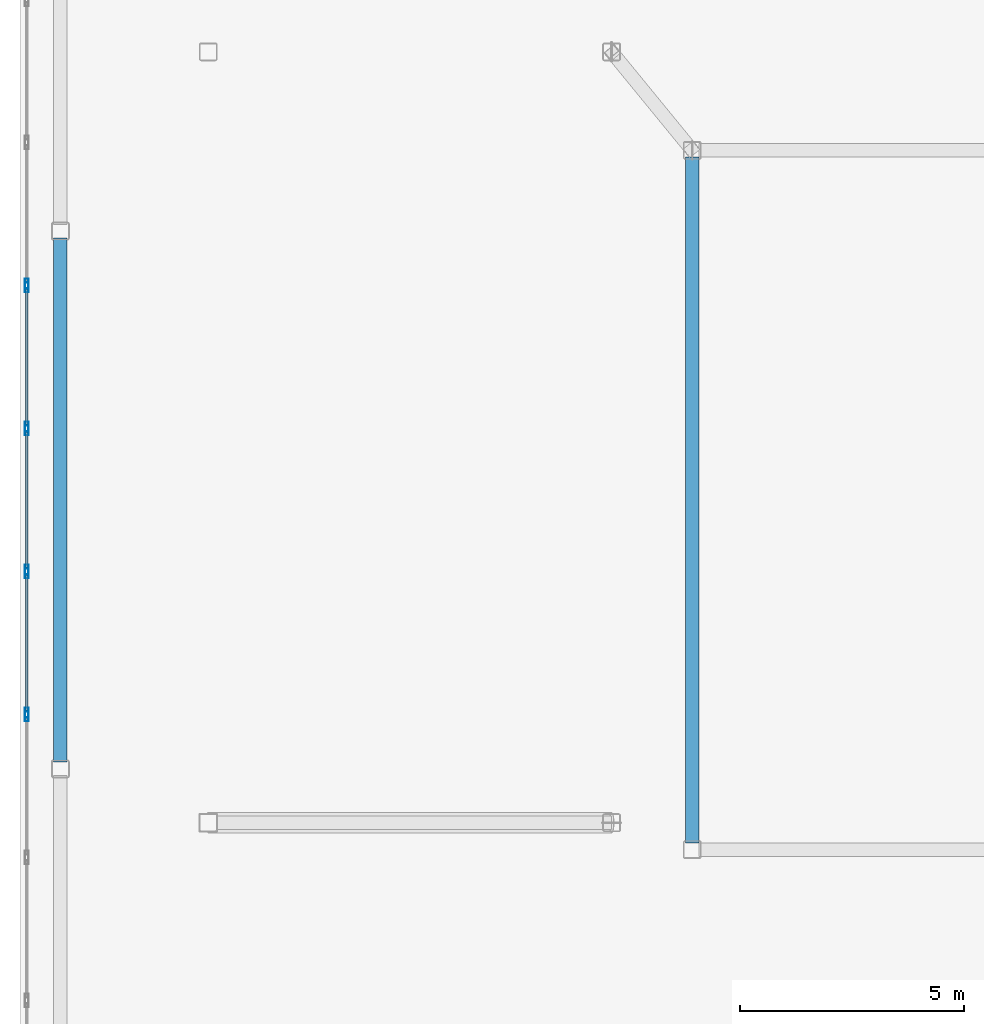
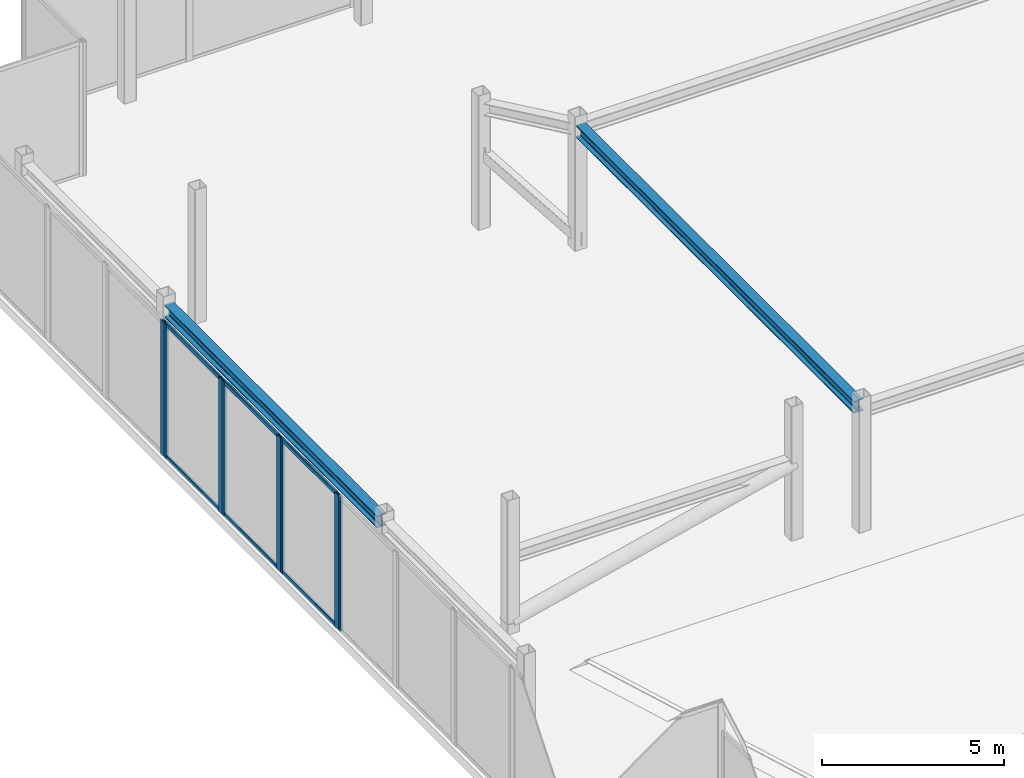
# One storey, part 5 of 16: 14 members, 2 beams, 5 elements without a shape of their own.
"""IFC4 building model written with IfcOpenShell, lengths in metres."""

import ifcopenshell
import ifcopenshell.guid

model = None  # the IFC model being written
_history = None  # IfcOwnerHistory: only IFC2X3 demands one
_inside = {}  # id of a spatial element -> (the spatial element, [elements in it])
_under = {}  # id of a project, library or spatial element -> (it, [spatial elements below it])
_declared = {}  # id of a project -> (the project, [libraries it declares])
_typed = {}  # id of a type object -> (the type object, [elements of that type])
_made_of = {}  # id of a material, layer set ... -> (it, [elements and type objects made of it])


def new_model(schema):
    """Start an empty IFC model of exactly this schema.

    Asked for "IFC4X3", IfcOpenShell would pick the latest addendum, in which some entities
    have other attributes; the version numbers below select the first issue.
    IFC2X3 requires an IfcOwnerHistory on every rooted entity: one is made here for all.
    """
    global model, _history
    if schema == "IFC4X3":
        model = ifcopenshell.file(schema_version=(4, 3, 0, 0))
    else:
        model = ifcopenshell.file(schema=schema)
    _inside.clear()
    _under.clear()
    _declared.clear()
    _typed.clear()
    _made_of.clear()
    _history = None
    if model.schema == "IFC2X3":
        org = make("IfcOrganization", Name="unknown")
        user = make(
            "IfcPersonAndOrganization",
            ThePerson=make("IfcPerson", FamilyName="unknown"),
            TheOrganization=org,
        )
        app = make(
            "IfcApplication",
            ApplicationDeveloper=org,
            Version="unknown",
            ApplicationFullName="unknown",
            ApplicationIdentifier="unknown",
        )
        _history = make(
            "IfcOwnerHistory",
            OwningUser=user,
            OwningApplication=app,
            ChangeAction="ADDED",
            CreationDate=0,
        )
    return model


def make(cls, **values):
    """One entity of the class cls with the attributes given. An attribute that is None is left unset."""
    return model.create_entity(
        cls, **{name: value for name, value in values.items() if value is not None}
    )


def rooted(cls, **values):
    """An entity with a GlobalId (a new one), such as an element, a storey or a relation."""
    return make(cls, GlobalId=ifcopenshell.guid.new(), OwnerHistory=_history, **values)


def si_unit(unit_type, name, prefix=None):
    """IfcSIUnit, for example si_unit("LENGTHUNIT", "METRE", prefix="MILLI")."""
    return make("IfcSIUnit", UnitType=unit_type, Prefix=prefix, Name=name)


def assignment(units):
    """IfcUnitAssignment: the units of a project."""
    return None if units is None else make("IfcUnitAssignment", Units=units)


def point(xyz):
    """IfcCartesianPoint."""
    return None if xyz is None else make("IfcCartesianPoint", Coordinates=xyz)


def direction(xyz):
    """IfcDirection."""
    return None if xyz is None else make("IfcDirection", DirectionRatios=xyz)


def frame(location, z_axis=None, x_axis=None):
    """IfcAxis2Placement3D, a coordinate frame: its origin and axes. An axis left out is left unset."""
    return make(
        "IfcAxis2Placement3D",
        Location=point(location),
        Axis=direction(z_axis),
        RefDirection=direction(x_axis),
    )


def frame_2d(location, x_axis=None):
    """IfcAxis2Placement2D, a coordinate frame in the plane: its origin and x axis."""
    return make(
        "IfcAxis2Placement2D", Location=point(location), RefDirection=direction(x_axis)
    )


def origin():
    """The frame at (0, 0, 0) with its axes left unset."""
    return frame((0.0, 0.0, 0.0))


def origin_2d():
    """The frame at (0, 0) in the plane with its x axis left unset."""
    return frame_2d((0.0, 0.0))


def place(relative_to, where):
    """IfcLocalPlacement: puts the frame where relative to a parent placement (None: the world)."""
    return make(
        "IfcLocalPlacement", PlacementRelTo=relative_to, RelativePlacement=where
    )


def context(
    kind, dimensions, precision=None, world=None, true_north=None, identifier=None
):
    """IfcGeometricRepresentationContext, for example the 3D "Model" context."""
    return make(
        "IfcGeometricRepresentationContext",
        ContextIdentifier=identifier,
        ContextType=kind,
        CoordinateSpaceDimension=dimensions,
        Precision=precision,
        WorldCoordinateSystem=world,
        TrueNorth=true_north,
    )


def subcontext(parent, identifier, kind, view, scale=None):
    """IfcGeometricRepresentationSubContext, for example "Body" below "Model"."""
    return make(
        "IfcGeometricRepresentationSubContext",
        ContextIdentifier=identifier,
        ContextType=kind,
        ParentContext=parent,
        TargetScale=scale,
        TargetView=view,
    )


def project(units=None, contexts=None):
    """IfcProject with its units and contexts."""
    return rooted(
        "IfcProject",
        Name="project",
        RepresentationContexts=contexts,
        UnitsInContext=assignment(units),
    )


def spatial(cls, under=None, at=None, **own):
    """A site, building, storey or space (cls), placed at a placement, below another one or the project."""
    s = rooted(cls, ObjectPlacement=at, **own)
    if under is not None:
        _under.setdefault(under.id(), (under, []))[1].append(s)
    return s


def profile(cls, at=None, kind="AREA", **sizes):
    """A parametric profile (cls). Its sizes go by their IFC names, for example OverallWidth=200.0."""
    return make(cls, ProfileType=kind, Position=at, **sizes)


def hollow_rectangle(**sizes):
    """IfcRectangleHollowProfileDef."""
    return profile("IfcRectangleHollowProfileDef", **sizes)


def i_section(**sizes):
    """IfcIShapeProfileDef."""
    return profile("IfcIShapeProfileDef", **sizes)


def extrude(swept, where, along, depth):
    """IfcExtrudedAreaSolid: the profile swept, set in the frame where, extruded along a direction by depth."""
    return make(
        "IfcExtrudedAreaSolid",
        SweptArea=swept,
        Position=where,
        ExtrudedDirection=direction(along),
        Depth=depth,
    )


def shape(context_of_items, identifier, shape_type, items):
    """IfcShapeRepresentation: the items that make up one representation, for example the "Body"."""
    return make(
        "IfcShapeRepresentation",
        ContextOfItems=context_of_items,
        RepresentationIdentifier=identifier,
        RepresentationType=shape_type,
        Items=items,
    )


def material(Name=None, Category=None):
    """IfcMaterial."""
    return make("IfcMaterial", Name=Name, Category=Category)


def layer(
    of_material, thickness, ventilated=None, Name=None, Category=None, Priority=None
):
    """IfcMaterialLayer: one layer of a wall or slab, of a material (None: an air gap)."""
    return make(
        "IfcMaterialLayer",
        Material=of_material,
        LayerThickness=thickness,
        IsVentilated=ventilated,
        Name=Name,
        Category=Category,
        Priority=Priority,
    )


def layer_set(layers, Name=None):
    """IfcMaterialLayerSet."""
    return make("IfcMaterialLayerSet", MaterialLayers=layers, LayerSetName=Name)


def material_profile(
    of_material, cross_section, Name=None, Category=None, Priority=None
):
    """IfcMaterialProfile: a cross section and its material."""
    return make(
        "IfcMaterialProfile",
        Name=Name,
        Material=of_material,
        Profile=cross_section,
        Priority=Priority,
        Category=Category,
    )


def profile_set(profiles, Name=None, composite=None):
    """IfcMaterialProfileSet."""
    return make(
        "IfcMaterialProfileSet",
        Name=Name,
        MaterialProfiles=profiles,
        CompositeProfile=composite,
    )


def made_of(thing, what):
    """Note that an element or type object is made of a material, layer set ...; save() writes the relation."""
    if what is not None:
        _made_of.setdefault(what.id(), (what, []))[1].append(thing)
    return thing


def type_object(cls, material=None, **own):
    """A type object (cls), such as IfcWallType, which elements share."""
    return made_of(rooted(cls, **own), material)


def element(
    cls,
    number,
    at=None,
    inside=None,
    cuts=None,
    type_object=None,
    material=None,
    context=None,
    identifier="Body",
    shape_type=None,
    held_by="IfcProductDefinitionShape",
    body=None,
    shapes=None,
    **own,
):
    """One element of the class cls, such as IfcWall. Its Tag is "e" and its number.

    at: its placement. inside: the storey or other place that contains it. cuts: it is an
    opening in that element (IfcRelVoidsElement). A single representation is given by context,
    identifier, shape_type and body (its items); several are given by shapes. held_by: the class
    of the entity that holds the representations. save() writes the other relations.
    """
    e = rooted(cls, Tag="e%d" % number, ObjectPlacement=at, **own)
    if body is not None:
        shapes = [shape(context, identifier, shape_type, body)]
    if shapes is not None:
        e.Representation = make(held_by, Representations=shapes)
    if inside is not None:
        _inside.setdefault(inside.id(), (inside, []))[1].append(e)
    if cuts is not None:
        rooted(
            "IfcRelVoidsElement", RelatingBuildingElement=cuts, RelatedOpeningElement=e
        )
    if type_object is not None:
        _typed.setdefault(type_object.id(), (type_object, []))[1].append(e)
    return made_of(e, material)


def aggregate(whole, parts):
    """IfcRelAggregates: a whole, such as a stair, and the parts it consists of."""
    return rooted("IfcRelAggregates", RelatingObject=whole, RelatedObjects=parts)


def save(model, path):
    """Write the relations noted so far, then the file.

    IfcRelAggregates (storeys below a building ...), IfcRelContainedInSpatialStructure (elements
    in a storey), IfcRelDefinesByType, IfcRelAssociatesMaterial and IfcRelDeclares: one each for
    every whole, place, type object, material and project.
    """
    for whole, parts in _under.values():
        aggregate(whole, parts)
    for where, things in _inside.values():
        rooted(
            "IfcRelContainedInSpatialStructure",
            RelatedElements=things,
            RelatingStructure=where,
        )
    for kind, things in _typed.values():
        rooted("IfcRelDefinesByType", RelatedObjects=things, RelatingType=kind)
    for what, things in _made_of.values():
        rooted("IfcRelAssociatesMaterial", RelatedObjects=things, RelatingMaterial=what)
    for by, libraries in _declared.values():
        rooted("IfcRelDeclares", RelatingContext=by, RelatedDefinitions=libraries)
    model.write(path)


model = new_model("IFC4")

# Units and contexts
model_context = context("Model", 3, precision=1e-05, world=origin(), true_north=direction((0.0, 1.0)))
body_context = subcontext(model_context, "Body", "Model", "MODEL_VIEW")
ifc_project = project(units=[si_unit("LENGTHUNIT", "METRE"), si_unit("AREAUNIT", "SQUARE_METRE"), si_unit("VOLUMEUNIT", "CUBIC_METRE"), si_unit("PLANEANGLEUNIT", "RADIAN"), si_unit("MASSUNIT", "GRAM", prefix="KILO")], contexts=[model_context])

# Site, building, storey
site_placement = place(None, origin())
site = spatial("IfcSite", under=ifc_project, at=site_placement, CompositionType="ELEMENT")
building_placement = place(site_placement, origin())
building = spatial("IfcBuilding", under=site, at=building_placement, Name="Tarnavaz Court Tower", CompositionType="ELEMENT")
storey_placement = place(building_placement, frame((0.0, 0.0, 290.550048828125)))
storey = spatial("IfcBuildingStorey", under=building, at=storey_placement, Name="C03", CompositionType="ELEMENT", Elevation=290.550048828125)

# Beams
ifc_material_1 = material(Name="Steel S355", Category="steel")
ifc_material_profile_1 = material_profile(ifc_material_1, i_section(OverallWidth=0.300048828125, OverallDepth=0.39990234375, WebThickness=0.013427734375, FlangeThickness=0.02392578125, FilletRadius=0.027099609375, at=origin_2d()), Name="HEB 400")
ifc_profile_set_1 = profile_set([ifc_material_profile_1], Name="Steel S355")
beam_type = type_object("IfcBeamType", Name="BM-G-HEB400", PredefinedType="USERDEFINED", material=ifc_profile_set_1)
beam_1_placement = place(storey_placement, frame((-7.800048828125, -7.64990234375, 4.0), z_axis=(0.0, 1.0, 0.0), x_axis=(-1.0, 0.0, 0.0)))
element("IfcBeam", 1, at=beam_1_placement, inside=storey, type_object=beam_type, Name="C03 Beam CRG-IW-SW-IW-NW", ObjectType="GIRDER", PredefinedType="USERDEFINED", context=body_context, shape_type="SweptSolid", body=[
    extrude(i_section(OverallWidth=0.300048828125, OverallDepth=0.39990234375, WebThickness=0.013427734375, FlangeThickness=0.02392578125, FilletRadius=0.027099609375, at=origin_2d()), origin(), (0.0, 0.0, 1.0), 15.2998046875),
])
beam_2_placement = place(storey_placement, frame((-21.89990234375, -5.85009765625, 4.0), z_axis=(0.0, 1.0, 0.0), x_axis=(-1.0, 0.0, 0.0)))
element("IfcBeam", 2, at=beam_2_placement, inside=storey, type_object=beam_type, Name="C03 Beam CRG-PW-2-PW-3", ObjectType="GIRDER", PredefinedType="USERDEFINED", context=body_context, shape_type="SweptSolid", body=[
    extrude(i_section(OverallWidth=0.300048828125, OverallDepth=0.39990234375, WebThickness=0.013427734375, FlangeThickness=0.02392578125, FilletRadius=0.027099609375, at=origin_2d()), origin(), (0.0, 0.0, 1.0), 11.7001953125),
])

# Curtain wall, member
ifc_material_2 = material(Name="Anodised Aluminium 6063-T6 and Solar Low-E Glazing", Category="aluminium")
ifc_layer = layer(ifc_material_2, 0.2099609375)
ifc_layer_set = layer_set([ifc_layer], Name="Anodised Aluminium 6063-T6 and Solar Low-E Glazing")
curtain_wall_type = type_object("IfcCurtainWallType", Name="CW-SYS-06", PredefinedType="NOTDEFINED", material=ifc_layer_set)
curtain_wall_1_placement = place(storey_placement, origin())
curtain_wall_1 = element("IfcCurtainWall", 3, at=curtain_wall_1_placement, inside=storey, type_object=curtain_wall_type, Name="C03 Slanted Crown Terracotta Curtain Wall 7", PredefinedType="NOTDEFINED")
ifc_material_3 = material(Name="Anodised Aluminium 6063-T6", Category="aluminium")
ifc_material_profile_2 = material_profile(ifc_material_3, hollow_rectangle(XDim=0.0849609375, YDim=0.219970703125, WallThickness=0.006103515625, InnerFilletRadius=0.006103515625, OuterFilletRadius=0.011962890625, at=origin_2d()), Name="ALU RHS 220X85X6")
ifc_profile_set_2 = profile_set([ifc_material_profile_2], Name="Anodised Aluminium 6063-T6")
member_type_1 = type_object("IfcMemberType", Name="CW-MUL-220", PredefinedType="MULLION", material=ifc_profile_set_2)
member_1_placement = place(storey_placement, frame((-22.64990234375, -4.828857421875, 0.0), z_axis=(0.0, 0.0, 1.0), x_axis=(-1.0, 0.0, 0.0)))
member_1 = element("IfcMember", 4, at=member_1_placement, type_object=member_type_1, Name="CW mullion 2", PredefinedType="MULLION", context=body_context, shape_type="SweptSolid", body=[
    extrude(hollow_rectangle(XDim=0.0849609375, YDim=0.219970703125, WallThickness=0.006103515625, InnerFilletRadius=0.006103515625, OuterFilletRadius=0.011962890625, at=origin_2d()), origin(), (0.0, 0.0, 1.0), 4.5),
])
aggregate(curtain_wall_1, [member_1])

# Curtain wall, members
curtain_wall_2_placement = place(storey_placement, origin())
curtain_wall_2 = element("IfcCurtainWall", 5, at=curtain_wall_2_placement, inside=storey, type_object=curtain_wall_type, Name="C03 Slanted Crown Terracotta Curtain Wall 8", PredefinedType="NOTDEFINED")
member_2_placement = place(storey_placement, frame((-22.64990234375, -4.743896484375, 0.0), z_axis=(0.0, 0.0, 1.0), x_axis=(-1.0, 0.0, 0.0)))
member_2 = element("IfcMember", 6, at=member_2_placement, type_object=member_type_1, Name="CW mullion 1", PredefinedType="MULLION", context=body_context, shape_type="SweptSolid", body=[
    extrude(hollow_rectangle(XDim=0.0849609375, YDim=0.219970703125, WallThickness=0.006103515625, InnerFilletRadius=0.006103515625, OuterFilletRadius=0.011962890625, at=origin_2d()), origin(), (0.0, 0.0, 1.0), 4.5),
])
member_3_placement = place(storey_placement, frame((-22.64990234375, -1.637939453125, 0.0), z_axis=(0.0, 0.0, 1.0), x_axis=(-1.0, 0.0, 0.0)))
member_3 = element("IfcMember", 7, at=member_3_placement, type_object=member_type_1, Name="CW mullion 2", PredefinedType="MULLION", context=body_context, shape_type="SweptSolid", body=[
    extrude(hollow_rectangle(XDim=0.0849609375, YDim=0.219970703125, WallThickness=0.006103515625, InnerFilletRadius=0.006103515625, OuterFilletRadius=0.011962890625, at=origin_2d()), origin(), (0.0, 0.0, 1.0), 4.5),
])

curtain_wall_3_placement = place(storey_placement, origin())
curtain_wall_3 = element("IfcCurtainWall", 8, at=curtain_wall_3_placement, inside=storey, type_object=curtain_wall_type, Name="C03 Slanted Crown Terracotta Curtain Wall 9", PredefinedType="NOTDEFINED")
member_4_placement = place(storey_placement, frame((-22.64990234375, -1.552978515625, 0.0), z_axis=(0.0, 0.0, 1.0), x_axis=(-1.0, 0.0, 0.0)))
member_4 = element("IfcMember", 9, at=member_4_placement, type_object=member_type_1, Name="CW mullion 1", PredefinedType="MULLION", context=body_context, shape_type="SweptSolid", body=[
    extrude(hollow_rectangle(XDim=0.0849609375, YDim=0.219970703125, WallThickness=0.006103515625, InnerFilletRadius=0.006103515625, OuterFilletRadius=0.011962890625, at=origin_2d()), origin(), (0.0, 0.0, 1.0), 4.5),
])
member_5_placement = place(storey_placement, frame((-22.64990234375, 1.552978515625, 0.0), z_axis=(0.0, 0.0, 1.0), x_axis=(-1.0, 0.0, 0.0)))
member_5 = element("IfcMember", 10, at=member_5_placement, type_object=member_type_1, Name="CW mullion 2", PredefinedType="MULLION", context=body_context, shape_type="SweptSolid", body=[
    extrude(hollow_rectangle(XDim=0.0849609375, YDim=0.219970703125, WallThickness=0.006103515625, InnerFilletRadius=0.006103515625, OuterFilletRadius=0.011962890625, at=origin_2d()), origin(), (0.0, 0.0, 1.0), 4.5),
])

curtain_wall_4_placement = place(storey_placement, origin())
curtain_wall_4 = element("IfcCurtainWall", 11, at=curtain_wall_4_placement, inside=storey, type_object=curtain_wall_type, Name="C03 Slanted Crown Terracotta Curtain Wall 10", PredefinedType="NOTDEFINED")
member_6_placement = place(storey_placement, frame((-22.64990234375, 1.637939453125, 0.0), z_axis=(0.0, 0.0, 1.0), x_axis=(-1.0, 0.0, 0.0)))
member_6 = element("IfcMember", 12, at=member_6_placement, type_object=member_type_1, Name="CW mullion 1", PredefinedType="MULLION", context=body_context, shape_type="SweptSolid", body=[
    extrude(hollow_rectangle(XDim=0.0849609375, YDim=0.219970703125, WallThickness=0.006103515625, InnerFilletRadius=0.006103515625, OuterFilletRadius=0.011962890625, at=origin_2d()), origin(), (0.0, 0.0, 1.0), 4.5),
])
member_7_placement = place(storey_placement, frame((-22.64990234375, 4.743896484375, 0.0), z_axis=(0.0, 0.0, 1.0), x_axis=(-1.0, 0.0, 0.0)))
member_7 = element("IfcMember", 13, at=member_7_placement, type_object=member_type_1, Name="CW mullion 2", PredefinedType="MULLION", context=body_context, shape_type="SweptSolid", body=[
    extrude(hollow_rectangle(XDim=0.0849609375, YDim=0.219970703125, WallThickness=0.006103515625, InnerFilletRadius=0.006103515625, OuterFilletRadius=0.011962890625, at=origin_2d()), origin(), (0.0, 0.0, 1.0), 4.5),
])

# Curtain wall, member
curtain_wall_5_placement = place(storey_placement, origin())
curtain_wall_5 = element("IfcCurtainWall", 14, at=curtain_wall_5_placement, inside=storey, type_object=curtain_wall_type, Name="C03 Slanted Crown Terracotta Curtain Wall 11", PredefinedType="NOTDEFINED")
member_8_placement = place(storey_placement, frame((-22.64990234375, 4.828857421875, 0.0), z_axis=(0.0, 0.0, 1.0), x_axis=(-1.0, 0.0, 0.0)))
member_8 = element("IfcMember", 15, at=member_8_placement, type_object=member_type_1, Name="CW mullion 1", PredefinedType="MULLION", context=body_context, shape_type="SweptSolid", body=[
    extrude(hollow_rectangle(XDim=0.0849609375, YDim=0.219970703125, WallThickness=0.006103515625, InnerFilletRadius=0.006103515625, OuterFilletRadius=0.011962890625, at=origin_2d()), origin(), (0.0, 0.0, 1.0), 4.5),
])
aggregate(curtain_wall_5, [member_8])

# Member
ifc_material_profile_3 = material_profile(ifc_material_3, hollow_rectangle(XDim=0.06494140625, YDim=0.139892578125, WallThickness=0.00390625, InnerFilletRadius=0.00390625, OuterFilletRadius=0.008056640625, at=origin_2d()), Name="ALU RHS 140X65X4")
ifc_profile_set_3 = profile_set([ifc_material_profile_3], Name="Anodised Aluminium 6063-T6")
member_type_2 = type_object("IfcMemberType", Name="CW-TRN-140", PredefinedType="USERDEFINED", material=ifc_profile_set_3)
member_9_placement = place(storey_placement, frame((-22.64990234375, -4.701416015625, 0.032470703125), z_axis=(0.0, 1.0, 0.0), x_axis=(-1.0, 0.0, 0.0)))
member_9 = element("IfcMember", 16, at=member_9_placement, type_object=member_type_2, Name="CW transom 1.1", ObjectType="TRANSOM", PredefinedType="USERDEFINED", context=body_context, shape_type="SweptSolid", body=[
    extrude(hollow_rectangle(XDim=0.06494140625, YDim=0.139892578125, WallThickness=0.00390625, InnerFilletRadius=0.00390625, OuterFilletRadius=0.008056640625, at=origin_2d()), origin(), (0.0, 0.0, 1.0), 3.02099609375),
])

member_10_placement = place(storey_placement, frame((-22.64990234375, -4.701416015625, 4.467529296875), z_axis=(0.0, 1.0, 0.0), x_axis=(-1.0, 0.0, 0.0)))
member_10 = element("IfcMember", 17, at=member_10_placement, type_object=member_type_2, Name="CW transom 1.2", ObjectType="TRANSOM", PredefinedType="USERDEFINED", context=body_context, shape_type="SweptSolid", body=[
    extrude(hollow_rectangle(XDim=0.06494140625, YDim=0.139892578125, WallThickness=0.00390625, InnerFilletRadius=0.00390625, OuterFilletRadius=0.008056640625, at=origin_2d()), origin(), (0.0, 0.0, 1.0), 3.02099609375),
])

aggregate(curtain_wall_2, [member_2, member_3, member_9, member_10])

member_11_placement = place(storey_placement, frame((-22.64990234375, -1.510498046875, 0.032470703125), z_axis=(0.0, 1.0, 0.0), x_axis=(-1.0, 0.0, 0.0)))
member_11 = element("IfcMember", 18, at=member_11_placement, type_object=member_type_2, Name="CW transom 1.1", ObjectType="TRANSOM", PredefinedType="USERDEFINED", context=body_context, shape_type="SweptSolid", body=[
    extrude(hollow_rectangle(XDim=0.06494140625, YDim=0.139892578125, WallThickness=0.00390625, InnerFilletRadius=0.00390625, OuterFilletRadius=0.008056640625, at=origin_2d()), origin(), (0.0, 0.0, 1.0), 3.02099609375),
])

member_12_placement = place(storey_placement, frame((-22.64990234375, -1.510498046875, 4.467529296875), z_axis=(0.0, 1.0, 0.0), x_axis=(-1.0, 0.0, 0.0)))
member_12 = element("IfcMember", 19, at=member_12_placement, type_object=member_type_2, Name="CW transom 1.2", ObjectType="TRANSOM", PredefinedType="USERDEFINED", context=body_context, shape_type="SweptSolid", body=[
    extrude(hollow_rectangle(XDim=0.06494140625, YDim=0.139892578125, WallThickness=0.00390625, InnerFilletRadius=0.00390625, OuterFilletRadius=0.008056640625, at=origin_2d()), origin(), (0.0, 0.0, 1.0), 3.02099609375),
])

aggregate(curtain_wall_3, [member_4, member_5, member_11, member_12])

member_13_placement = place(storey_placement, frame((-22.64990234375, 1.680419921875, 0.032470703125), z_axis=(0.0, 1.0, 0.0), x_axis=(-1.0, 0.0, 0.0)))
member_13 = element("IfcMember", 20, at=member_13_placement, type_object=member_type_2, Name="CW transom 1.1", ObjectType="TRANSOM", PredefinedType="USERDEFINED", context=body_context, shape_type="SweptSolid", body=[
    extrude(hollow_rectangle(XDim=0.06494140625, YDim=0.139892578125, WallThickness=0.00390625, InnerFilletRadius=0.00390625, OuterFilletRadius=0.008056640625, at=origin_2d()), origin(), (0.0, 0.0, 1.0), 3.02099609375),
])

member_14_placement = place(storey_placement, frame((-22.64990234375, 1.680419921875, 4.467529296875), z_axis=(0.0, 1.0, 0.0), x_axis=(-1.0, 0.0, 0.0)))
member_14 = element("IfcMember", 21, at=member_14_placement, type_object=member_type_2, Name="CW transom 1.2", ObjectType="TRANSOM", PredefinedType="USERDEFINED", context=body_context, shape_type="SweptSolid", body=[
    extrude(hollow_rectangle(XDim=0.06494140625, YDim=0.139892578125, WallThickness=0.00390625, InnerFilletRadius=0.00390625, OuterFilletRadius=0.008056640625, at=origin_2d()), origin(), (0.0, 0.0, 1.0), 3.02099609375),
])

aggregate(curtain_wall_4, [member_6, member_7, member_13, member_14])

save(model, "model.ifc")
